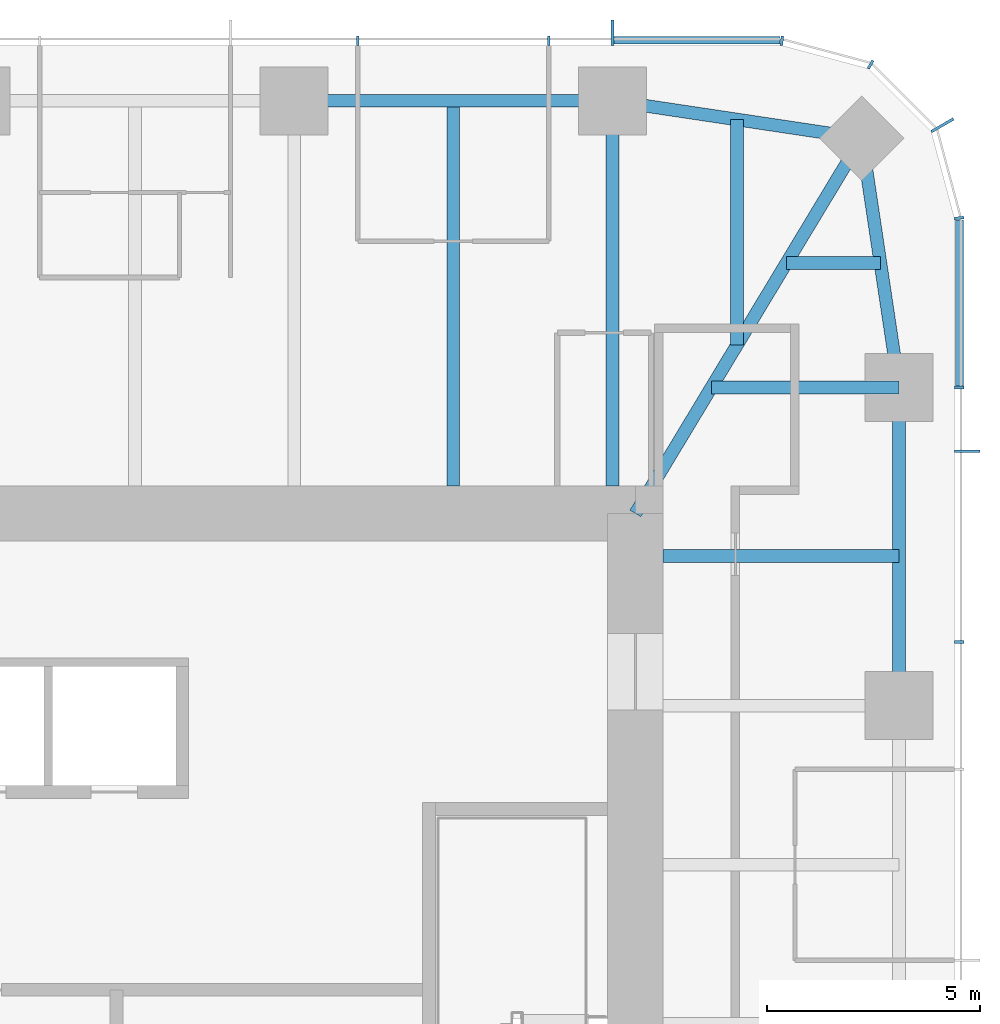
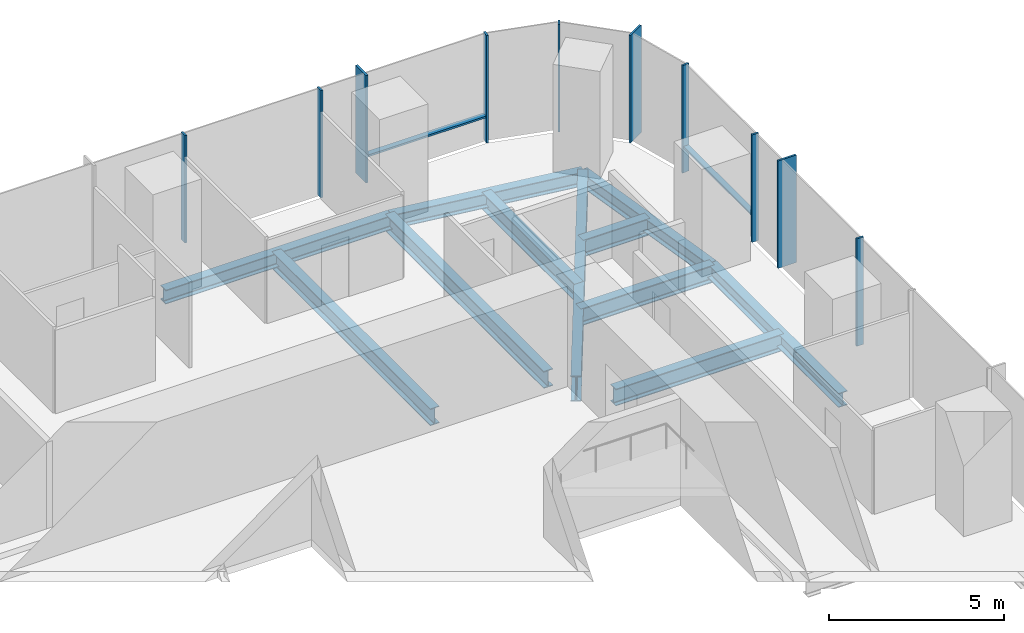
# One storey, part 6 of 12: 12 members, 11 beams, 3 elements without a shape of their own.
"""IFC4 building model written with IfcOpenShell, lengths in metres."""

from ifc_helpers import new_model, si_unit, direction, frame, origin, origin_2d, place, context, subcontext, project, spatial, rectangle, i_section, extrude, material, material_profile, profile_set, type_object, element, aggregate, save


model = new_model("IFC4")

# Units and contexts
model_context = context("Model", 3, precision=1e-05, world=origin(), true_north=direction((0.0, 1.0)))
body_context = subcontext(model_context, "Body", "Model", "MODEL_VIEW")
ifc_project = project(units=[si_unit("LENGTHUNIT", "METRE"), si_unit("AREAUNIT", "SQUARE_METRE"), si_unit("VOLUMEUNIT", "CUBIC_METRE"), si_unit("PLANEANGLEUNIT", "RADIAN"), si_unit("MASSUNIT", "GRAM", prefix="KILO")], contexts=[model_context])

# Site, building, storey
site_placement = place(None, origin())
site = spatial("IfcSite", under=ifc_project, at=site_placement, CompositionType="ELEMENT")
building_placement = place(site_placement, origin())
building = spatial("IfcBuilding", under=site, at=building_placement, Name="Khuree Lantern Residences", CompositionType="ELEMENT")
storey_placement = place(building_placement, frame((0.0, 0.0, 334.5)))
storey = spatial("IfcBuildingStorey", under=building, at=storey_placement, Name="L84", CompositionType="ELEMENT", Elevation=334.5)

# Beams
ifc_material_1 = material(Name="Steel S355", Category="steel")
ifc_material_profile_1 = material_profile(ifc_material_1, i_section(OverallWidth=0.300048828125, OverallDepth=0.590087890625, WebThickness=0.012939453125, FlangeThickness=0.02490234375, FilletRadius=0.027099609375, at=origin_2d()), Name="HE 600 A")
ifc_profile_set_1 = profile_set([ifc_material_profile_1], Name="Steel S355")
beam_type_1 = type_object("IfcBeamType", Name="B-44 SECONDARY BEAM HE 600 A", PredefinedType="BEAM", material=ifc_profile_set_1)
beam_1_placement = place(storey_placement, frame((11.219970703125, 21.699951171875, -0.544921875), z_axis=(0.0, -1.0, 0.0), x_axis=(1.0, 0.0, 0.0)))
element("IfcBeam", 1, at=beam_1_placement, inside=storey, type_object=beam_type_1, Name="Secondary beam N4", PredefinedType="BEAM", context=body_context, shape_type="SweptSolid", body=[
    extrude(i_section(OverallWidth=0.300048828125, OverallDepth=0.590087890625, WebThickness=0.012939453125, FlangeThickness=0.02490234375, FilletRadius=0.027099609375, at=origin_2d()), origin(), (0.0, 0.0, 1.0), 9.050048828125),
])
beam_2_placement = place(storey_placement, frame((17.890625, 21.2607421875, -0.544921875), z_axis=(0.0, -1.0, 0.0), x_axis=(1.0, 0.0, 0.0)))
element("IfcBeam", 2, at=beam_2_placement, inside=storey, type_object=beam_type_1, Name="Secondary beam N5", PredefinedType="BEAM", context=body_context, shape_type="SweptSolid", body=[
    extrude(i_section(OverallWidth=0.300048828125, OverallDepth=0.590087890625, WebThickness=0.012939453125, FlangeThickness=0.02490234375, FilletRadius=0.027099609375, at=origin_2d()), origin(), (0.0, 0.0, 1.0), 5.297607421875),
])
beam_3_placement = place(storey_placement, frame((21.2607421875, 17.890625, -0.544921875), z_axis=(-1.0, 0.0, 0.0), x_axis=(0.0, -1.0, 0.0)))
element("IfcBeam", 3, at=beam_3_placement, inside=storey, type_object=beam_type_1, Name="Secondary beam E1", PredefinedType="BEAM", context=body_context, shape_type="SweptSolid", body=[
    extrude(i_section(OverallWidth=0.300048828125, OverallDepth=0.590087890625, WebThickness=0.012939453125, FlangeThickness=0.02490234375, FilletRadius=0.027099609375, at=origin_2d()), origin(), (0.0, 0.0, 1.0), 2.207275390625),
])
beam_4_placement = place(storey_placement, frame((21.699951171875, 11.0, -0.544921875), z_axis=(-1.0, 0.0, 0.0), x_axis=(0.0, -1.0, 0.0)))
element("IfcBeam", 4, at=beam_4_placement, inside=storey, type_object=beam_type_1, Name="Secondary beam E2", PredefinedType="BEAM", context=body_context, shape_type="SweptSolid", body=[
    extrude(i_section(OverallWidth=0.300048828125, OverallDepth=0.590087890625, WebThickness=0.012939453125, FlangeThickness=0.02490234375, FilletRadius=0.027099609375, at=origin_2d()), origin(), (0.0, 0.0, 1.0), 5.550048828125),
])
ifc_material_profile_2 = material_profile(ifc_material_1, i_section(OverallWidth=0.300048828125, OverallDepth=0.489990234375, WebThickness=0.011962890625, FlangeThickness=0.02294921875, FilletRadius=0.027099609375, at=origin_2d()), Name="HE 500 A")
ifc_profile_set_2 = profile_set([ifc_material_profile_2], Name="Steel S355")
beam_type_2 = type_object("IfcBeamType", Name="E-44 SPANDREL BEAM HE 500 A", PredefinedType="SPANDREL", material=ifc_profile_set_2)
beam_5_placement = place(storey_placement, frame((7.47998046875, 21.699951171875, -0.4951171875), z_axis=(1.0, 0.0, 0.0), x_axis=(0.0, 1.0, 0.0)))
element("IfcBeam", 5, at=beam_5_placement, inside=storey, type_object=beam_type_2, Name="Spandrel beam N4", PredefinedType="SPANDREL", context=body_context, shape_type="SweptSolid", body=[
    extrude(i_section(OverallWidth=0.300048828125, OverallDepth=0.489990234375, WebThickness=0.011962890625, FlangeThickness=0.02294921875, FilletRadius=0.027099609375, at=origin_2d()), origin(), (0.0, 0.0, 1.0), 7.47998046875),
])
for number, where, z_axis, x_axis, name in (
    (6, (14.9599609375, 21.699951171875, -0.4951171875), (0.988949643299, -0.148251822985, 0.0), (0.148251822985, 0.988949643299, 0.0), "Spandrel beam N5"),
    (7, (20.8212890625, 20.8212890625, -0.4951171875), (0.148251822985, -0.988949643299, 0.0), (0.988949643299, 0.148251822985, 0.0), "Spandrel beam E1"),
):
    element("IfcBeam", number, at=place(storey_placement, frame(where, z_axis=z_axis, x_axis=x_axis)), inside=storey, type_object=beam_type_2, Name=name, PredefinedType="SPANDREL", context=body_context, shape_type="SweptSolid", body=[
        extrude(i_section(OverallWidth=0.300048828125, OverallDepth=0.489990234375, WebThickness=0.011962890625, FlangeThickness=0.02294921875, FilletRadius=0.027099609375, at=origin_2d()), origin(), (0.0, 0.0, 1.0), 5.9267578125),
    ])
beam_6_placement = place(storey_placement, frame((21.699951171875, 14.9599609375, -0.4951171875), z_axis=(0.0, -1.0, 0.0), x_axis=(1.0, 0.0, 0.0)))
element("IfcBeam", 8, at=beam_6_placement, inside=storey, type_object=beam_type_2, Name="Spandrel beam E2", PredefinedType="SPANDREL", context=body_context, shape_type="SweptSolid", body=[
    extrude(i_section(OverallWidth=0.300048828125, OverallDepth=0.489990234375, WebThickness=0.011962890625, FlangeThickness=0.02294921875, FilletRadius=0.027099609375, at=origin_2d()), origin(), (0.0, 0.0, 1.0), 7.47998046875),
])

# Curtain wall, member
ifc_material_2 = material(Name="Bronze anodised aluminium", Category="aluminium")
curtain_wall_type_1 = type_object("IfcCurtainWallType", Name="CW-T1 TOWER FACE CURTAIN WALL", PredefinedType="USERDEFINED", material=ifc_material_2)
curtain_wall_1_placement = place(storey_placement, origin())
curtain_wall_1 = element("IfcCurtainWall", 9, at=curtain_wall_1_placement, inside=storey, type_object=curtain_wall_type_1, Name="L84 EAST FACE CURTAIN WALL", ObjectType="Stick-built curtain wall", PredefinedType="USERDEFINED")
ifc_material_profile_3 = material_profile(ifc_material_2, rectangle(XDim=0.06494140625, YDim=0.60009765625, at=origin_2d()), Name="F1 65X600")
ifc_profile_set_3 = profile_set([ifc_material_profile_3], Name="Bronze anodised aluminium")
member_type_1 = type_object("IfcMemberType", Name="F1 BRONZE FIN MULLION TOWER 65X600", PredefinedType="MULLION", material=ifc_profile_set_3)
member_1_placement = place(storey_placement, frame((23.300048828125, 13.464111328125, 0.0), z_axis=(0.0, 0.0, 1.0), x_axis=(0.0, 1.0, 0.0)))
member_1 = element("IfcMember", 10, at=member_1_placement, type_object=member_type_1, Name="L84 EAST FACE FIN MULLION 13", PredefinedType="MULLION", context=body_context, shape_type="SweptSolid", body=[
    extrude(rectangle(XDim=0.06494140625, YDim=0.60009765625, at=origin_2d()), origin(), (0.0, 0.0, 1.0), 3.75),
])

curtain_wall_type_2 = type_object("IfcCurtainWallType", Name="CW-T2 TOWER CORNER CURTAIN WALL", PredefinedType="USERDEFINED", material=ifc_material_2)
curtain_wall_2_placement = place(storey_placement, origin())
curtain_wall_2 = element("IfcCurtainWall", 11, at=curtain_wall_2_placement, inside=storey, type_object=curtain_wall_type_2, Name="L84 NORTH-EAST CORNER CURTAIN WALL", ObjectType="Faceted corner curtain wall", PredefinedType="USERDEFINED")
member_2_placement = place(storey_placement, frame((22.71728515625, 21.125, 0.0), z_axis=(0.0, 0.0, 1.0), x_axis=(-0.49999994149, 0.866025437565, 0.0)))
member_2 = element("IfcMember", 12, at=member_2_placement, type_object=member_type_1, Name="L84 NORTH-EAST CORNER FIN MULLION 16", PredefinedType="MULLION", context=body_context, shape_type="SweptSolid", body=[
    extrude(rectangle(XDim=0.06494140625, YDim=0.60009765625, at=origin_2d()), origin(), (0.0, 0.0, 1.0), 3.75),
])

curtain_wall_3_placement = place(storey_placement, origin())
curtain_wall_3 = element("IfcCurtainWall", 13, at=curtain_wall_3_placement, inside=storey, type_object=curtain_wall_type_1, Name="L84 NORTH FACE CURTAIN WALL", ObjectType="Stick-built curtain wall", PredefinedType="USERDEFINED")
member_3_placement = place(storey_placement, frame((14.9599609375, 23.300048828125, 0.0), z_axis=(0.0, 0.0, 1.0), x_axis=(-1.0, 0.0, 0.0)))
member_3 = element("IfcMember", 14, at=member_3_placement, type_object=member_type_1, Name="L84 NORTH FACE FIN MULLION 19", PredefinedType="MULLION", context=body_context, shape_type="SweptSolid", body=[
    extrude(rectangle(XDim=0.06494140625, YDim=0.60009765625, at=origin_2d()), origin(), (0.0, 0.0, 1.0), 3.75),
])

# Beams
ifc_material_profile_4 = material_profile(ifc_material_1, i_section(OverallWidth=0.300048828125, OverallDepth=0.60009765625, WebThickness=0.015380859375, FlangeThickness=0.030029296875, FilletRadius=0.027099609375, at=origin_2d()), Name="HE 600 B")
ifc_profile_set_4 = profile_set([ifc_material_profile_4], Name="Steel S355")
beam_type_3 = type_object("IfcBeamType", Name="G-44 GIRDER HE 600 B", PredefinedType="BEAM", material=ifc_profile_set_4)
beam_7_placement = place(storey_placement, frame((14.9599609375, 21.699951171875, -0.550048828125), z_axis=(0.0, -1.0, 0.0), x_axis=(1.0, 0.0, 0.0)))
element("IfcBeam", 15, at=beam_7_placement, inside=storey, type_object=beam_type_3, Name="Girder N5", PredefinedType="BEAM", context=body_context, shape_type="SweptSolid", body=[
    extrude(i_section(OverallWidth=0.300048828125, OverallDepth=0.60009765625, WebThickness=0.015380859375, FlangeThickness=0.030029296875, FilletRadius=0.027099609375, at=origin_2d()), origin(), (0.0, 0.0, 1.0), 9.050048828125),
])
beam_8_placement = place(storey_placement, frame((21.699951171875, 14.9599609375, -0.550048828125), z_axis=(-1.0, 0.0, 0.0), x_axis=(0.0, -1.0, 0.0)))
element("IfcBeam", 16, at=beam_8_placement, inside=storey, type_object=beam_type_3, Name="Girder E1", PredefinedType="BEAM", context=body_context, shape_type="SweptSolid", body=[
    extrude(i_section(OverallWidth=0.300048828125, OverallDepth=0.60009765625, WebThickness=0.015380859375, FlangeThickness=0.030029296875, FilletRadius=0.027099609375, at=origin_2d()), origin(), (0.0, 0.0, 1.0), 4.414306640625),
])
ifc_material_profile_5 = material_profile(ifc_material_1, i_section(OverallWidth=0.300048828125, OverallDepth=0.89990234375, WebThickness=0.0185546875, FlangeThickness=0.034912109375, FilletRadius=0.030029296875, at=origin_2d()), Name="HE 900 B")
ifc_profile_set_5 = profile_set([ifc_material_profile_5], Name="Steel S355")
beam_type_4 = type_object("IfcBeamType", Name="GD-44 CORNER GIRDER HE 900 B", PredefinedType="BEAM", material=ifc_profile_set_5)
beam_9_placement = place(storey_placement, frame((20.8212890625, 20.8212890625, -0.699951171875), z_axis=(-0.516529577604, -0.856269347495, 0.0), x_axis=(0.856269347495, -0.516529577604, 0.0)))
element("IfcBeam", 17, at=beam_9_placement, inside=storey, type_object=beam_type_4, Name="Corner girder NE", PredefinedType="BEAM", context=body_context, shape_type="SweptSolid", body=[
    extrude(i_section(OverallWidth=0.300048828125, OverallDepth=0.89990234375, WebThickness=0.0185546875, FlangeThickness=0.034912109375, FilletRadius=0.030029296875, at=origin_2d()), origin(), (0.0, 0.0, 1.0), 10.302001953125),
])

# Member
ifc_material_profile_6 = material_profile(ifc_material_2, rectangle(XDim=0.06494140625, YDim=0.219970703125, at=origin_2d()), Name="M1 65X220")
ifc_profile_set_6 = profile_set([ifc_material_profile_6], Name="Bronze anodised aluminium")
member_type_2 = type_object("IfcMemberType", Name="M1 BRONZE MULLION TOWER 65X220", PredefinedType="MULLION", material=ifc_profile_set_6)
member_4_placement = place(storey_placement, frame((23.110107421875, 8.97607421875, 0.0), z_axis=(0.0, 0.0, 1.0), x_axis=(0.0, 1.0, 0.0)))
member_4 = element("IfcMember", 18, at=member_4_placement, type_object=member_type_2, Name="L84 EAST FACE MULLION 12", PredefinedType="MULLION", context=body_context, shape_type="SweptSolid", body=[
    extrude(rectangle(XDim=0.06494140625, YDim=0.219970703125, at=origin_2d()), origin(), (0.0, 0.0, 1.0), 3.75),
])

member_5_placement = place(storey_placement, frame((23.110107421875, 14.9599609375, 0.0), z_axis=(0.0, 0.0, 1.0), x_axis=(0.0, 1.0, 0.0)))
member_5 = element("IfcMember", 19, at=member_5_placement, type_object=member_type_2, Name="L84 EAST FACE MULLION 14", PredefinedType="MULLION", context=body_context, shape_type="SweptSolid", body=[
    extrude(rectangle(XDim=0.06494140625, YDim=0.219970703125, at=origin_2d()), origin(), (0.0, 0.0, 1.0), 3.75),
])

member_6_placement = place(storey_placement, frame((23.11181640625, 18.945068359375, 0.0), z_axis=(0.0, 0.0, 1.0), x_axis=(-0.130526125236, 0.991444870192, 0.0)))
member_6 = element("IfcMember", 20, at=member_6_placement, type_object=member_type_2, Name="L84 NORTH-EAST CORNER MULLION 15", PredefinedType="MULLION", context=body_context, shape_type="SweptSolid", body=[
    extrude(rectangle(XDim=0.06494140625, YDim=0.219970703125, at=origin_2d()), origin(), (0.0, 0.0, 1.0), 3.75),
])

member_7_placement = place(storey_placement, frame((21.030029296875, 22.552734375, 0.0), z_axis=(0.0, 0.0, 1.0), x_axis=(-0.866025437565, 0.49999994149, 0.0)))
member_7 = element("IfcMember", 21, at=member_7_placement, type_object=member_type_2, Name="L84 NORTH-EAST CORNER MULLION 17", PredefinedType="MULLION", context=body_context, shape_type="SweptSolid", body=[
    extrude(rectangle(XDim=0.06494140625, YDim=0.219970703125, at=origin_2d()), origin(), (0.0, 0.0, 1.0), 3.75),
])

aggregate(curtain_wall_2, [member_6, member_2, member_7])

member_8_placement = place(storey_placement, frame((18.945068359375, 23.11181640625, 0.0), z_axis=(0.0, 0.0, 1.0), x_axis=(-0.991444870192, 0.130526125236, 0.0)))
member_8 = element("IfcMember", 22, at=member_8_placement, type_object=member_type_2, Name="L84 NORTH FACE MULLION 18", PredefinedType="MULLION", context=body_context, shape_type="SweptSolid", body=[
    extrude(rectangle(XDim=0.06494140625, YDim=0.219970703125, at=origin_2d()), origin(), (0.0, 0.0, 1.0), 3.75),
])

member_9_placement = place(storey_placement, frame((13.464111328125, 23.110107421875, 0.0), z_axis=(0.0, 0.0, 1.0), x_axis=(-1.0, 0.0, 0.0)))
member_9 = element("IfcMember", 23, at=member_9_placement, type_object=member_type_2, Name="L84 NORTH FACE MULLION 20", PredefinedType="MULLION", context=body_context, shape_type="SweptSolid", body=[
    extrude(rectangle(XDim=0.06494140625, YDim=0.219970703125, at=origin_2d()), origin(), (0.0, 0.0, 1.0), 3.75),
])

member_10_placement = place(storey_placement, frame((8.97607421875, 23.110107421875, 0.0), z_axis=(0.0, 0.0, 1.0), x_axis=(-1.0, 0.0, 0.0)))
member_10 = element("IfcMember", 24, at=member_10_placement, type_object=member_type_2, Name="L84 NORTH FACE MULLION 21", PredefinedType="MULLION", context=body_context, shape_type="SweptSolid", body=[
    extrude(rectangle(XDim=0.06494140625, YDim=0.219970703125, at=origin_2d()), origin(), (0.0, 0.0, 1.0), 3.75),
])

ifc_material_profile_7 = material_profile(ifc_material_2, rectangle(XDim=0.179931640625, YDim=0.06494140625, at=origin_2d()), Name="T1 180X65")
ifc_profile_set_7 = profile_set([ifc_material_profile_7], Name="Bronze anodised aluminium")
member_type_3 = type_object("IfcMemberType", Name="TRANSOM T1 TOWER 180X65", PredefinedType="USERDEFINED", material=ifc_profile_set_7)
member_11_placement = place(storey_placement, frame((23.1201171875, 14.992431640625, 0.89990234375), z_axis=(0.0, 1.0, 0.0), x_axis=(-1.0, 0.0, 0.0)))
member_11 = element("IfcMember", 25, at=member_11_placement, type_object=member_type_3, Name="L84 EAST FACE TRANSOM 14.1", ObjectType="Transom", PredefinedType="USERDEFINED", context=body_context, shape_type="SweptSolid", body=[
    extrude(rectangle(XDim=0.179931640625, YDim=0.06494140625, at=origin_2d()), origin(), (0.0, 0.0, 1.0), 3.908935546875),
])

aggregate(curtain_wall_1, [member_4, member_1, member_5, member_11])

member_12_placement = place(storey_placement, frame((18.9013671875, 23.1201171875, 0.89990234375), z_axis=(-1.0, 0.0, 0.0), x_axis=(0.0, -1.0, 0.0)))
member_12 = element("IfcMember", 26, at=member_12_placement, type_object=member_type_3, Name="L84 NORTH FACE TRANSOM 18.1", ObjectType="Transom", PredefinedType="USERDEFINED", context=body_context, shape_type="SweptSolid", body=[
    extrude(rectangle(XDim=0.179931640625, YDim=0.06494140625, at=origin_2d()), origin(), (0.0, 0.0, 1.0), 3.908935546875),
])

aggregate(curtain_wall_3, [member_8, member_3, member_9, member_10, member_12])

save(model, "model.ifc")
